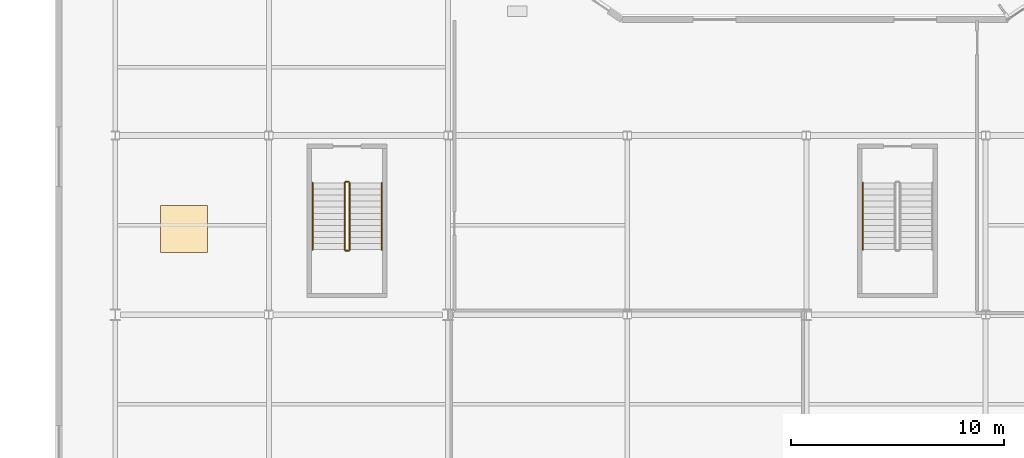
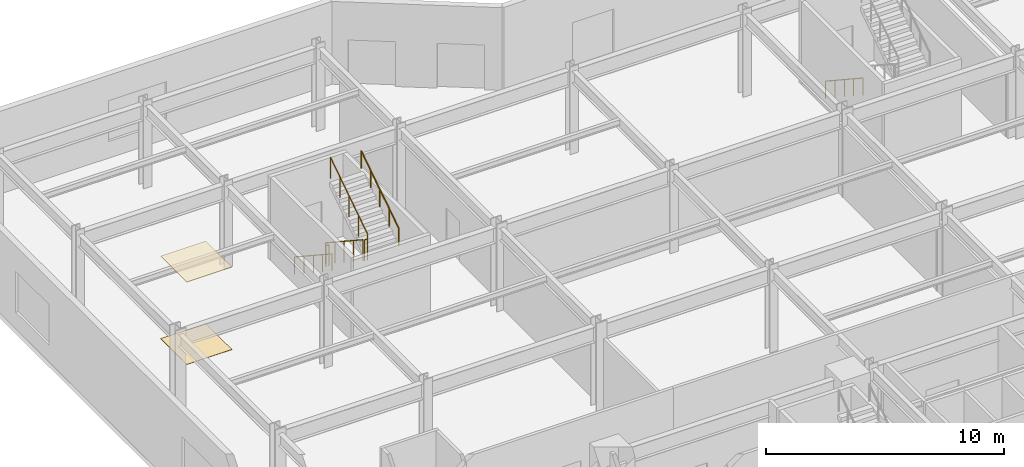
# One storey, part 22 of 26: 7 railings, 2 coverings.
"""IFC4 building model written with IfcOpenShell, lengths in metres."""

from ifc_helpers import new_model, si_unit, direction, frame, origin, origin_2d, place, context, subcontext, project, spatial, rectangle, circle, extrude, material, layer, layer_set, type_object, element, save


model = new_model("IFC4")

# Units and contexts
model_context = context("Model", 3, precision=1e-05, world=origin(), true_north=direction((0.0, 1.0)))
body_context = subcontext(model_context, "Body", "Model", "MODEL_VIEW")
ifc_project = project(units=[si_unit("LENGTHUNIT", "METRE"), si_unit("AREAUNIT", "SQUARE_METRE"), si_unit("VOLUMEUNIT", "CUBIC_METRE"), si_unit("PLANEANGLEUNIT", "RADIAN"), si_unit("MASSUNIT", "GRAM", prefix="KILO")], contexts=[model_context])

# Site, building, storey
site_placement = place(None, origin())
site = spatial("IfcSite", under=ifc_project, at=site_placement, CompositionType="ELEMENT")
building_placement = place(site_placement, origin())
building = spatial("IfcBuilding", under=site, at=building_placement, Name="Varnakote Quay Hospital", CompositionType="ELEMENT")
storey_placement = place(building_placement, origin())
storey = spatial("IfcBuildingStorey", under=building, at=storey_placement, Name="L00", CompositionType="ELEMENT", Elevation=0.0)

# Coverings
ifc_material_1 = material(Name="Antimicrobial acoustic mineral ceiling tile", Category="gypsum")
ifc_layer_1 = layer(ifc_material_1, 0.02490234375)
ifc_layer_set_1 = layer_set([ifc_layer_1], Name="Antimicrobial acoustic mineral ceiling tile")
covering_type_1 = type_object("IfcCoveringType", Name="COV-CLIN-CEIL-25", PredefinedType="CEILING", material=ifc_layer_set_1)
covering_1_placement = place(storey_placement, frame((4.425048828125, 32.824951171875, 4.22509765625), z_axis=(0.0, 0.0, 1.0), x_axis=(1.0, 0.0, 0.0)))
element("IfcCovering", 1, at=covering_1_placement, inside=storey, type_object=covering_type_1, Name="L00 Antimicrobial Acoustic Ceiling Tile", PredefinedType="CEILING", context=body_context, shape_type="SweptSolid", body=[
    extrude(rectangle(XDim=2.199951171875, YDim=2.199951171875, at=origin_2d()), origin(), (0.0, 0.0, 1.0), 0.02490234375),
])
ifc_material_2 = material(Name="Seamless clinical sheet vinyl flooring")
ifc_layer_2 = layer(ifc_material_2, 0.011962890625)
ifc_layer_set_2 = layer_set([ifc_layer_2], Name="Seamless clinical sheet vinyl flooring")
covering_type_2 = type_object("IfcCoveringType", Name="COV-CLIN-VINYL-12", PredefinedType="FLOORING", material=ifc_layer_set_2)
covering_2_placement = place(storey_placement, frame((4.425048828125, 32.824951171875, 0.0), z_axis=(0.0, 0.0, 1.0), x_axis=(1.0, 0.0, 0.0)))
element("IfcCovering", 2, at=covering_2_placement, inside=storey, type_object=covering_type_2, Name="L00 Seamless Clinical Vinyl Flooring", PredefinedType="FLOORING", context=body_context, shape_type="SweptSolid", body=[
    extrude(rectangle(XDim=2.199951171875, YDim=2.199951171875, at=origin_2d()), origin(), (0.0, 0.0, 1.0), 0.011962890625),
])

# Railings
ifc_material_3 = material(Name="Brushed stainless steel balustrade", Category="steel")
railing_type_1 = type_object("IfcRailingType", Name="RLG-STAIR-GUARD-1150", PredefinedType="GUARDRAIL", material=ifc_material_3)
railing_1_placement = place(storey_placement, frame((11.949951171875, 34.97998046875, 0.1875)))
element("IfcRailing", 3, at=railing_1_placement, inside=storey, type_object=railing_type_1, Name="L00 ST-04 stair guard 1", PredefinedType="GUARDRAIL", context=body_context, shape_type="SweptSolid", body=[
    extrude(circle(Radius=0.02392578125, at=origin_2d()), frame((0.0, 0.0, 1.076171875), z_axis=(0.0, -0.835417868355, 0.549615306585), x_axis=(1.0, 0.0, 0.0)), (0.0, 0.0, 1.0), 3.752685546875),
    extrude(circle(Radius=0.02099609375, at=origin_2d()), origin(), (0.0, 0.0, 1.0), 1.052001953125),
    extrude(circle(Radius=0.02099609375, at=origin_2d()), frame((0.0, -0.78369140625, 0.515625)), (0.0, 0.0, 1.0), 1.052001953125),
    extrude(circle(Radius=0.02099609375, at=origin_2d()), frame((0.0, -1.5673828125, 1.03125)), (0.0, 0.0, 1.0), 1.052001953125),
    extrude(circle(Radius=0.02099609375, at=origin_2d()), frame((0.0, -2.351318359375, 1.546875)), (0.0, 0.0, 1.0), 1.052001953125),
    extrude(circle(Radius=0.02099609375, at=origin_2d()), frame((0.0, -3.135009765625, 2.0625)), (0.0, 0.0, 1.0), 1.052001953125),
])
railing_2_placement = place(storey_placement, frame((12.0, 31.794921875, 2.25)))
element("IfcRailing", 4, at=railing_2_placement, inside=storey, type_object=railing_type_1, Name="L00 ST-04 stair guard 2", PredefinedType="GUARDRAIL", context=body_context, shape_type="SweptSolid", body=[
    extrude(circle(Radius=0.02392578125, at=origin_2d()), frame((0.0, 0.0, 1.076171875), z_axis=(1.0, 0.0, 0.0), x_axis=(0.0, 1.0, 0.0)), (0.0, 0.0, 1.0), 0.139892578125),
    extrude(circle(Radius=0.02099609375, at=origin_2d()), origin(), (0.0, 0.0, 1.0), 1.052001953125),
    extrude(circle(Radius=0.02099609375, at=origin_2d()), frame((0.139892578125, 0.0, 0.0)), (0.0, 0.0, 1.0), 1.052001953125),
])
railing_3_placement = place(storey_placement, frame((12.18994140625, 31.844970703125, 2.4375)))
element("IfcRailing", 5, at=railing_3_placement, inside=storey, type_object=railing_type_1, Name="L00 ST-04 stair guard 3", PredefinedType="GUARDRAIL", context=body_context, shape_type="SweptSolid", body=[
    extrude(circle(Radius=0.02392578125, at=origin_2d()), frame((0.0, 0.0, 1.076171875), z_axis=(0.0, 0.835417868355, 0.549615306585), x_axis=(-1.0, 0.0, 0.0)), (0.0, 0.0, 1.0), 3.752685546875),
    extrude(circle(Radius=0.02099609375, at=origin_2d()), origin(), (0.0, 0.0, 1.0), 1.052001953125),
    extrude(circle(Radius=0.02099609375, at=origin_2d()), frame((0.0, 0.78369140625, 0.515625)), (0.0, 0.0, 1.0), 1.052001953125),
    extrude(circle(Radius=0.02099609375, at=origin_2d()), frame((0.0, 1.5673828125, 1.03125)), (0.0, 0.0, 1.0), 1.052001953125),
    extrude(circle(Radius=0.02099609375, at=origin_2d()), frame((0.0, 2.351318359375, 1.546875)), (0.0, 0.0, 1.0), 1.052001953125),
    extrude(circle(Radius=0.02099609375, at=origin_2d()), frame((0.0, 3.135009765625, 2.0625)), (0.0, 0.0, 1.0), 1.052001953125),
])
railing_4_placement = place(storey_placement, frame((12.0, 35.030029296875, 0.0)))
element("IfcRailing", 6, at=railing_4_placement, inside=storey, type_object=railing_type_1, Name="L00 ST-04 stair guard 4", PredefinedType="GUARDRAIL", context=body_context, shape_type="SweptSolid", body=[
    extrude(circle(Radius=0.02392578125, at=origin_2d()), frame((0.0, 0.0, 1.076171875), z_axis=(1.0, 0.0, 0.0), x_axis=(0.0, 1.0, 0.0)), (0.0, 0.0, 1.0), 0.139892578125),
    extrude(circle(Radius=0.02099609375, at=origin_2d()), origin(), (0.0, 0.0, 1.0), 1.052001953125),
    extrude(circle(Radius=0.02099609375, at=origin_2d()), frame((0.139892578125, 0.0, 0.0)), (0.0, 0.0, 1.0), 1.052001953125),
])
ifc_material_4 = material(Name="Brushed stainless steel handrail", Category="steel")
railing_type_2 = type_object("IfcRailingType", Name="RLG-STAIR-HND-920", PredefinedType="HANDRAIL", material=ifc_material_4)
railing_5_placement = place(storey_placement, frame((10.449951171875, 34.97998046875, 0.1875)))
element("IfcRailing", 7, at=railing_5_placement, inside=storey, type_object=railing_type_2, Name="L00 ST-04 stair handrail 1", PredefinedType="HANDRAIL", context=body_context, shape_type="SweptSolid", body=[
    extrude(circle(Radius=0.02392578125, at=origin_2d()), frame((0.0, 0.0, 0.8759765625), z_axis=(0.0, -0.835417868355, 0.549615306585), x_axis=(1.0, 0.0, 0.0)), (0.0, 0.0, 1.0), 3.752685546875),
    extrude(circle(Radius=0.02099609375, at=origin_2d()), origin(), (0.0, 0.0, 1.0), 0.851806640625),
    extrude(circle(Radius=0.02099609375, at=origin_2d()), frame((0.0, -0.78369140625, 0.515625)), (0.0, 0.0, 1.0), 0.851806640625),
    extrude(circle(Radius=0.02099609375, at=origin_2d()), frame((0.0, -1.5673828125, 1.03125)), (0.0, 0.0, 1.0), 0.851806640625),
    extrude(circle(Radius=0.02099609375, at=origin_2d()), frame((0.0, -2.351318359375, 1.546875)), (0.0, 0.0, 1.0), 0.851806640625),
    extrude(circle(Radius=0.02099609375, at=origin_2d()), frame((0.0, -3.135009765625, 2.0625)), (0.0, 0.0, 1.0), 0.851806640625),
])
railing_6_placement = place(storey_placement, frame((13.68994140625, 31.844970703125, 2.4375)))
element("IfcRailing", 8, at=railing_6_placement, inside=storey, type_object=railing_type_2, Name="L00 ST-04 stair handrail 2", PredefinedType="HANDRAIL", context=body_context, shape_type="SweptSolid", body=[
    extrude(circle(Radius=0.02392578125, at=origin_2d()), frame((0.0, 0.0, 0.8759765625), z_axis=(0.0, 0.835417868355, 0.549615306585), x_axis=(-1.0, 0.0, 0.0)), (0.0, 0.0, 1.0), 3.752685546875),
    extrude(circle(Radius=0.02099609375, at=origin_2d()), origin(), (0.0, 0.0, 1.0), 0.851806640625),
    extrude(circle(Radius=0.02099609375, at=origin_2d()), frame((0.0, 0.78369140625, 0.515625)), (0.0, 0.0, 1.0), 0.851806640625),
    extrude(circle(Radius=0.02099609375, at=origin_2d()), frame((0.0, 1.5673828125, 1.03125)), (0.0, 0.0, 1.0), 0.851806640625),
    extrude(circle(Radius=0.02099609375, at=origin_2d()), frame((0.0, 2.351318359375, 1.546875)), (0.0, 0.0, 1.0), 0.851806640625),
    extrude(circle(Radius=0.02099609375, at=origin_2d()), frame((0.0, 3.135009765625, 2.0625)), (0.0, 0.0, 1.0), 0.851806640625),
])
railing_7_placement = place(storey_placement, frame((36.25, 34.97998046875, 0.1875)))
element("IfcRailing", 9, at=railing_7_placement, inside=storey, type_object=railing_type_2, Name="L00 ST-05 stair handrail 1", PredefinedType="HANDRAIL", context=body_context, shape_type="SweptSolid", body=[
    extrude(circle(Radius=0.02392578125, at=origin_2d()), frame((0.0, 0.0, 0.8759765625), z_axis=(0.0, -0.835417868355, 0.549615306585), x_axis=(1.0, 0.0, 0.0)), (0.0, 0.0, 1.0), 3.752685546875),
    extrude(circle(Radius=0.02099609375, at=origin_2d()), origin(), (0.0, 0.0, 1.0), 0.851806640625),
    extrude(circle(Radius=0.02099609375, at=origin_2d()), frame((0.0, -0.78369140625, 0.515625)), (0.0, 0.0, 1.0), 0.851806640625),
    extrude(circle(Radius=0.02099609375, at=origin_2d()), frame((0.0, -1.5673828125, 1.03125)), (0.0, 0.0, 1.0), 0.851806640625),
    extrude(circle(Radius=0.02099609375, at=origin_2d()), frame((0.0, -2.351318359375, 1.546875)), (0.0, 0.0, 1.0), 0.851806640625),
    extrude(circle(Radius=0.02099609375, at=origin_2d()), frame((0.0, -3.135009765625, 2.0625)), (0.0, 0.0, 1.0), 0.851806640625),
])

save(model, "model.ifc")
